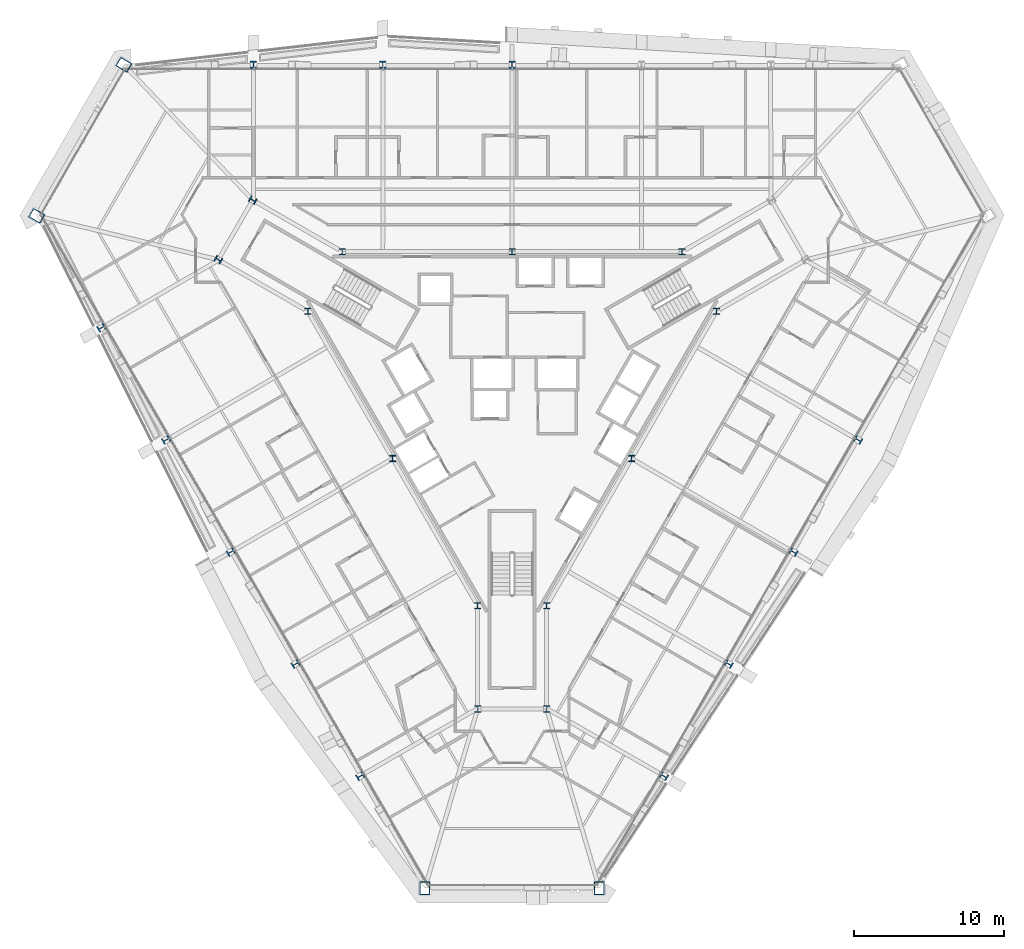
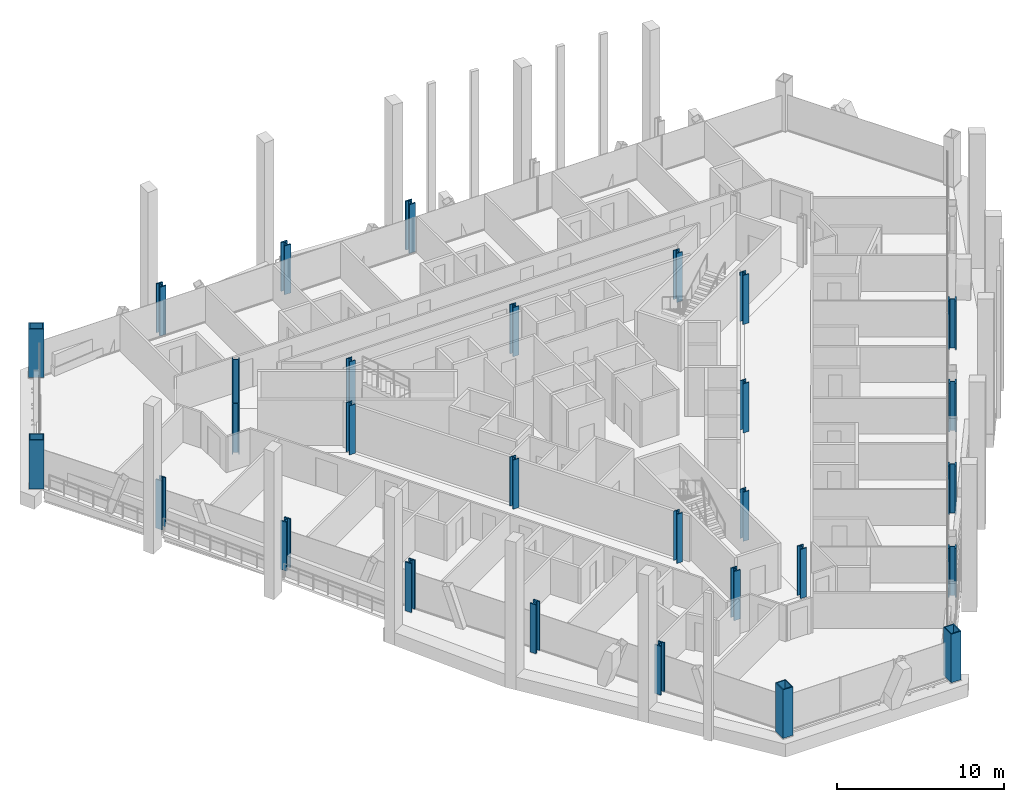
# One storey, part 1 of 19: 29 columns.
"""IFC4 building model written with IfcOpenShell, lengths in metres."""

from ifc_helpers import new_model, si_unit, direction, frame, origin, origin_2d, place, context, subcontext, project, spatial, hollow_rectangle, i_section, extrude, material, material_profile, profile_set, type_object, element, save


model = new_model("IFC4")

# Units and contexts
model_context = context("Model", 3, precision=1e-05, world=origin(), true_north=direction((0.0, 1.0)))
body_context = subcontext(model_context, "Body", "Model", "MODEL_VIEW")
ifc_project = project(units=[si_unit("LENGTHUNIT", "METRE"), si_unit("AREAUNIT", "SQUARE_METRE"), si_unit("VOLUMEUNIT", "CUBIC_METRE"), si_unit("PLANEANGLEUNIT", "RADIAN"), si_unit("MASSUNIT", "GRAM", prefix="KILO")], contexts=[model_context])

# Site, building, storey
site_placement = place(None, origin())
site = spatial("IfcSite", under=ifc_project, at=site_placement, CompositionType="ELEMENT")
building_placement = place(site_placement, origin())
building = spatial("IfcBuilding", under=site, at=building_placement, Name="Verrane Prism Tower", CompositionType="ELEMENT")
storey_placement = place(building_placement, frame((0.0, 0.0, 76.39990234375)))
storey = spatial("IfcBuildingStorey", under=building, at=storey_placement, Name="L17", CompositionType="ELEMENT", Elevation=76.39990234375)

# Columns
ifc_material_1 = material(Name="Steel A992", Category="steel")
ifc_material_profile_1 = material_profile(ifc_material_1, i_section(OverallWidth=0.419189453125, OverallDepth=0.45458984375, WebThickness=0.042236328125, FlangeThickness=0.067626953125, FilletRadius=0.01513671875, at=origin_2d()), Name="W14x370")
ifc_profile_set_1 = profile_set([ifc_material_profile_1], Name="Steel A992")
column_type_1 = type_object("IfcColumnType", Name="Core corner column W14x370", PredefinedType="COLUMN", material=ifc_profile_set_1)
for number, where, z_axis, x_axis, name in (
    (1, (-17.300048828125, 12.639892578125, 0.0), (0.0, 0.0, 1.0), (0.5, 0.866025403784, 0.0), "Core corner column CK-NWm L17"),
    (2, (-19.60009765625, 8.659912109375, 0.0), (0.0, 0.0, 1.0), (0.5, 0.866025403784, 0.0), "Core corner column CK-NWp L17"),
    (3, (-2.300048828125, -21.300048828125, 0.0), (0.0, 0.0, 1.0), (-1.0, 0.0, 0.0), "Core corner column CK-Sm L17"),
    (4, (2.300048828125, -21.300048828125, 0.0), (0.0, 0.0, 1.0), (-1.0, 0.0, 0.0), "Core corner column CK-Sp L17"),
):
    element("IfcColumn", number, at=place(storey_placement, frame(where, z_axis=z_axis, x_axis=x_axis)), inside=storey, type_object=column_type_1, Name=name, PredefinedType="COLUMN", context=body_context, shape_type="SweptSolid", body=[
        extrude(i_section(OverallWidth=0.419189453125, OverallDepth=0.45458984375, WebThickness=0.042236328125, FlangeThickness=0.067626953125, FilletRadius=0.01513671875, at=origin_2d()), origin(), (0.0, 0.0, 1.0), 3.60009765625),
    ])
ifc_material_2 = material(Name="Steel A992", Category="steel")
ifc_material_profile_2 = material_profile(ifc_material_2, i_section(OverallWidth=0.406494140625, OverallDepth=0.41650390625, WebThickness=0.030029296875, FlangeThickness=0.048095703125, FilletRadius=0.01513671875, at=origin_2d()), Name="W14x257")
ifc_profile_set_2 = profile_set([ifc_material_profile_2], Name="Steel A992")
column_type_2 = type_object("IfcColumnType", Name="Core side column W14x257", PredefinedType="COLUMN", material=ifc_profile_set_2)
for number, where, z_axis, x_axis, name in (
    (5, (13.6298828125, 5.219970703125, 0.0), (0.0, 0.0, 1.0), (1.0, 0.0, 0.0), "Core side column CC-NEm L17"),
    (6, (11.330078125, 9.199951171875, 0.0), (0.0, 0.0, 1.0), (1.0, 0.0, 0.0), "Core side column CC-NEp L17"),
    (7, (0.0, 9.199951171875, 0.0), (0.0, 0.0, 1.0), (1.0, 0.0, 0.0), "Core side column CC-N0 L17"),
    (8, (-11.330078125, 9.199951171875, 0.0), (0.0, 0.0, 1.0), (1.0, 0.0, 0.0), "Core side column CC-NWm L17"),
    (9, (-13.6298828125, 5.219970703125, 0.0), (0.0, 0.0, 1.0), (1.0, 0.0, 0.0), "Core side column CC-NWp L17"),
    (10, (-7.969970703125, -4.60009765625, 0.0), (0.0, 0.0, 1.0), (1.0, 0.0, 0.0), "Core side column CC-SW0 L17"),
    (11, (-2.300048828125, -14.419921875, 0.0), (0.0, 0.0, 1.0), (1.0, 0.0, 0.0), "Core side column CC-Sm L17"),
    (12, (2.300048828125, -14.419921875, 0.0), (0.0, 0.0, 1.0), (1.0, 0.0, 0.0), "Core side column CC-Sp L17"),
    (13, (7.969970703125, -4.60009765625, 0.0), (0.0, 0.0, 1.0), (1.0, 0.0, 0.0), "Core side column CC-SE0 L17"),
):
    element("IfcColumn", number, at=place(storey_placement, frame(where, z_axis=z_axis, x_axis=x_axis)), inside=storey, type_object=column_type_2, Name=name, PredefinedType="COLUMN", context=body_context, shape_type="SweptSolid", body=[
        extrude(i_section(OverallWidth=0.406494140625, OverallDepth=0.41650390625, WebThickness=0.030029296875, FlangeThickness=0.048095703125, FilletRadius=0.01513671875, at=origin_2d()), origin(), (0.0, 0.0, 1.0), 3.60009765625),
    ])
ifc_material_3 = material(Name="Steel A572 Grade 50", Category="steel")
ifc_material_profile_3 = material_profile(ifc_material_3, hollow_rectangle(XDim=0.699951171875, YDim=0.89990234375, WallThickness=0.06494140625, at=origin_2d()), Name="BOX 900x700x65")
ifc_profile_set_3 = profile_set([ifc_material_profile_3], Name="Steel A572 Grade 50")
column_type_3 = type_object("IfcColumnType", Name="Megacolumn BOX 900x700x65", PredefinedType="COLUMN", material=ifc_profile_set_3)
for number, where, z_axis, x_axis, name in (
    (14, (-25.89990234375, 21.669921875, 0.0400390625), (0.0, 0.0, 1.0), (0.5, 0.866025403784, 0.0), "Megacolumn MC-NW.a L17"),
    (15, (-31.7099609375, 11.590087890625, 0.0400390625), (0.0, 0.0, 1.0), (0.5, 0.866025403784, 0.0), "Megacolumn MC-NW.b L17"),
    (16, (-5.820068359375, -33.260009765625, 0.0400390625), (0.0, 0.0, 1.0), (-1.0, 0.0, 0.0), "Megacolumn MC-S.a L17"),
    (17, (5.820068359375, -33.260009765625, 0.0400390625), (0.0, 0.0, 1.0), (-1.0, 0.0, 0.0), "Megacolumn MC-S.b L17"),
):
    element("IfcColumn", number, at=place(storey_placement, frame(where, z_axis=z_axis, x_axis=x_axis)), inside=storey, type_object=column_type_3, Name=name, PredefinedType="COLUMN", context=body_context, shape_type="SweptSolid", body=[
        extrude(hollow_rectangle(XDim=0.699951171875, YDim=0.89990234375, WallThickness=0.06494140625, at=origin_2d()), origin(), (0.0, 0.0, 1.0), 3.56005859375),
    ])
ifc_material_4 = material(Name="Steel A992", Category="steel")
ifc_material_profile_4 = material_profile(ifc_material_4, i_section(OverallWidth=0.431884765625, OverallDepth=0.497802734375, WebThickness=0.0556640625, FlangeThickness=0.0888671875, FilletRadius=0.01513671875, at=origin_2d()), Name="W14x500")
ifc_profile_set_4 = profile_set([ifc_material_profile_4], Name="Steel A992")
column_type_4 = type_object("IfcColumnType", Name="Perimeter column W14x500", PredefinedType="COLUMN", material=ifc_profile_set_4)
for number, where, z_axis, x_axis, name in (
    (18, (0.0, 21.669921875, 0.025146484375), (0.0, 0.0, 1.0), (1.0, 0.0, 0.0), "Perimeter column PC-N3 L17"),
    (19, (-8.6298828125, 21.669921875, 0.025146484375), (0.0, 0.0, 1.0), (1.0, 0.0, 0.0), "Perimeter column PC-N4 L17"),
    (20, (-17.260009765625, 21.669921875, 0.025146484375), (0.0, 0.0, 1.0), (1.0, 0.0, 0.0), "Perimeter column PC-N5 L17"),
    (21, (-27.39990234375, 4.1201171875, 0.025146484375), (0.0, 0.0, 1.0), (-0.5, 0.866025403784, 0.0), "Perimeter column PC-SW1 L17"),
    (22, (-23.080078125, -3.360107421875, 0.025146484375), (0.0, 0.0, 1.0), (-0.5, 0.866025403784, 0.0), "Perimeter column PC-SW2 L17"),
    (23, (-18.77001953125, -10.840087890625, 0.025146484375), (0.0, 0.0, 1.0), (-0.5, 0.866025403784, 0.0), "Perimeter column PC-SW3 L17"),
    (24, (-14.449951171875, -18.31005859375, 0.025146484375), (0.0, 0.0, 1.0), (-0.5, 0.866025403784, 0.0), "Perimeter column PC-SW4 L17"),
    (25, (-10.1298828125, -25.7900390625, 0.025146484375), (0.0, 0.0, 1.0), (-0.5, 0.866025403784, 0.0), "Perimeter column PC-SW5 L17"),
    (26, (10.1298828125, -25.7900390625, 0.025146484375), (0.0, 0.0, 1.0), (-0.5, -0.866025403784, 0.0), "Perimeter column PC-SE1 L17"),
    (27, (14.449951171875, -18.31005859375, 0.025146484375), (0.0, 0.0, 1.0), (-0.5, -0.866025403784, 0.0), "Perimeter column PC-SE2 L17"),
    (28, (18.77001953125, -10.840087890625, 0.025146484375), (0.0, 0.0, 1.0), (-0.5, -0.866025403784, 0.0), "Perimeter column PC-SE3 L17"),
    (29, (23.080078125, -3.360107421875, 0.025146484375), (0.0, 0.0, 1.0), (-0.5, -0.866025403784, 0.0), "Perimeter column PC-SE4 L17"),
):
    element("IfcColumn", number, at=place(storey_placement, frame(where, z_axis=z_axis, x_axis=x_axis)), inside=storey, type_object=column_type_4, Name=name, PredefinedType="COLUMN", context=body_context, shape_type="SweptSolid", body=[
        extrude(i_section(OverallWidth=0.431884765625, OverallDepth=0.497802734375, WebThickness=0.0556640625, FlangeThickness=0.0888671875, FilletRadius=0.01513671875, at=origin_2d()), origin(), (0.0, 0.0, 1.0), 3.574951171875),
    ])

save(model, "model.ifc")
